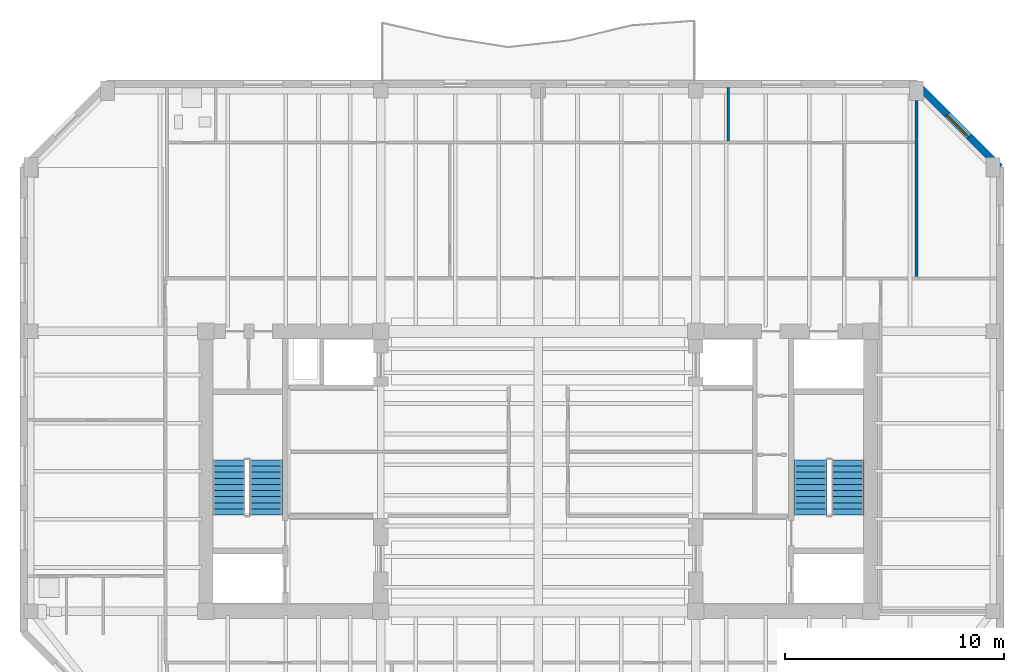
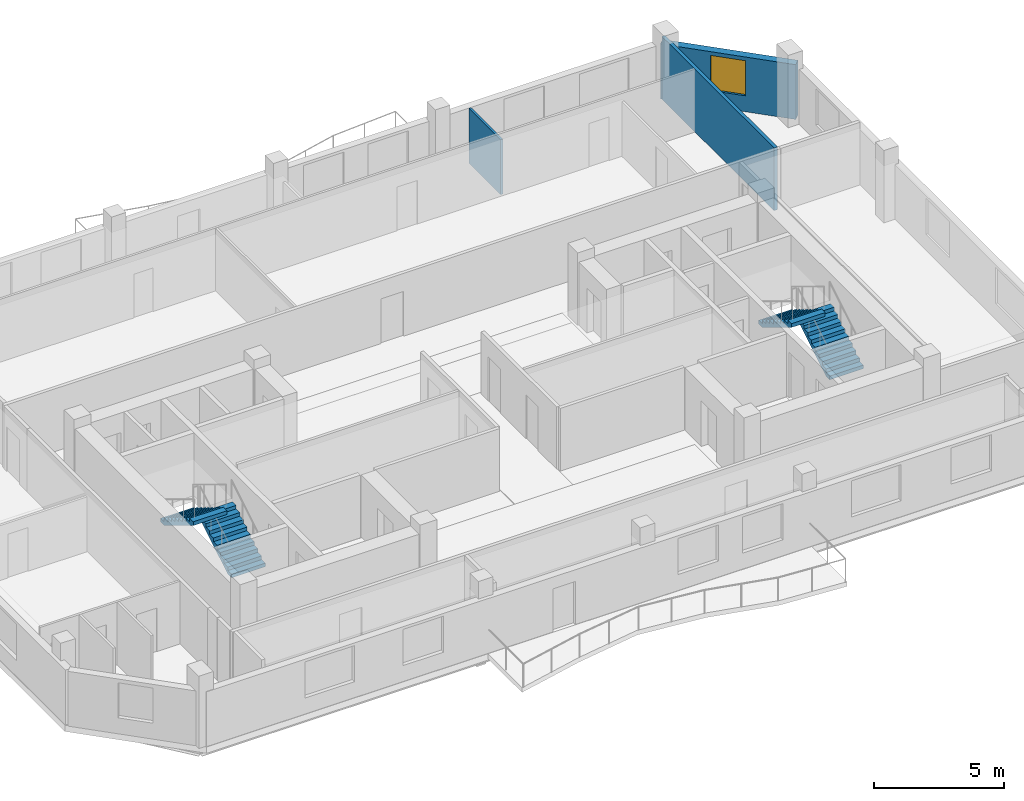
# One storey, part 6 of 10: 4 stair flights, 3 walls, 1 window, 1 opening, 2 elements without a shape of their own.
"""IFC4 building model written with IfcOpenShell, lengths in metres."""

from ifc_helpers import new_model, si_unit, direction, frame, frame_2d, origin, place, context, subcontext, project, spatial, polyline, rectangle, outline, extrude, material, layer, layer_set, type_object, element, fill, aggregate, save


model = new_model("IFC4")

# Units and contexts
model_context = context("Model", 3, precision=1e-05, world=origin(), true_north=direction((0.0, 1.0)))
body_context = subcontext(model_context, "Body", "Model", "MODEL_VIEW")
ifc_project = project(units=[si_unit("LENGTHUNIT", "METRE"), si_unit("AREAUNIT", "SQUARE_METRE"), si_unit("VOLUMEUNIT", "CUBIC_METRE"), si_unit("PLANEANGLEUNIT", "RADIAN"), si_unit("MASSUNIT", "GRAM", prefix="KILO")], contexts=[model_context])

# Site, building, storey
site_placement = place(None, origin())
site = spatial("IfcSite", under=ifc_project, at=site_placement, CompositionType="ELEMENT")
building_placement = place(site_placement, origin())
building = spatial("IfcBuilding", under=site, at=building_placement, Name="Kranthara Brick Stack", CompositionType="ELEMENT")
storey_placement = place(building_placement, frame((0.0, 0.0, 278.89990234375)))
storey = spatial("IfcBuildingStorey", under=building, at=storey_placement, Name="L74", CompositionType="ELEMENT", Elevation=278.89990234375)

# Wall, opening, window
ifc_material_1 = material(Name="Warm buff clay brick masonry M15", Category="masonry")
ifc_layer_1 = layer(ifc_material_1, 0.320068359375)
ifc_layer_set_1 = layer_set([ifc_layer_1], Name="Warm buff clay brick masonry M15")
wall_type_1 = type_object("IfcWallType", Name="WL-BRK-UPPR-320", PredefinedType="STANDARD", material=ifc_layer_set_1)
wall_1_placement = place(storey_placement, frame((45.300048828125, 44.919921875, 0.0), z_axis=(0.0, 0.0, 1.0), x_axis=(0.70712937715, -0.707084184501, 0.0)))
wall_1 = element("IfcWall", 1, at=wall_1_placement, inside=storey, type_object=wall_type_1, Name="L74 Exterior Brick Facade Wall NE 1", PredefinedType="STANDARD", context=body_context, shape_type="SweptSolid", body=[
    extrude(rectangle(XDim=5.402099609375, YDim=0.320068359375, at=frame_2d((2.701171875, 0.0))), origin(), (0.0, 0.0, 1.0), 2.5751953125),
])
opening_placement = place(wall_1_placement, frame((2.0009765625, 0.0, 0.75)))
opening = element("IfcOpeningElement", 2, at=opening_placement, cuts=wall_1, Name="Opening WN10", PredefinedType="OPENING", context=body_context, shape_type="SweptSolid", body=[
    extrude(rectangle(XDim=1.39990234375, YDim=1.64990234375, at=frame_2d((0.699951171875, 0.824951171875))), frame((0.0, 0.169921875, 0.0), z_axis=(0.0, -1.0, 0.0), x_axis=(1.0, 0.0, 0.0)), (0.0, 0.0, 1.0), 0.340087890625),
])
ifc_material_2 = material(Name="Double-glazed low-E solar control glass", Category="glass")
window_type = type_object("IfcWindowType", Name="WN-CHM-1400x1750", PartitioningType="SINGLE_PANEL", PredefinedType="WINDOW", material=ifc_material_2)
window_placement = place(opening_placement, origin())
window = element("IfcWindow", 3, at=window_placement, inside=storey, type_object=window_type, Name="L74 NE Chamfer Corner Window", OverallHeight=1.64990234375, OverallWidth=1.39990234375, PartitioningType="SINGLE_PANEL", PredefinedType="WINDOW", context=body_context, shape_type="SweptSolid", body=[
    extrude(rectangle(XDim=1.39990234375, YDim=1.64990234375, at=frame_2d((0.699951171875, 0.824951171875))), frame((0.0, -0.010009765625, 0.0), z_axis=(0.0, -1.0, 0.0), x_axis=(1.0, 0.0, 0.0)), (0.0, 0.0, 1.0), 0.06005859375),
])
fill(opening, window)

# Walls
ifc_material_3 = material(Name="Moisture-resistant wet-room partition", Category="other")
ifc_layer_2 = layer(ifc_material_3, 0.10009765625)
ifc_layer_set_2 = layer_set([ifc_layer_2], Name="Moisture-resistant wet-room partition")
wall_type_2 = type_object("IfcWallType", Name="WL-PART-100", PredefinedType="PARTITIONING", material=ifc_layer_set_2)
wall_2_placement = place(storey_placement, frame((36.68994140625, 42.304931640625, 0.0), z_axis=(0.0, 0.0, 1.0), x_axis=(0.0, 1.0, 0.0)))
element("IfcWall", 4, at=wall_2_placement, inside=storey, type_object=wall_type_2, Name="L74 Interior Partition 021", PredefinedType="PARTITIONING", context=body_context, shape_type="SweptSolid", body=[
    extrude(rectangle(XDim=2.449951171875, YDim=0.10009765625, at=frame_2d((1.22509765625, 0.0))), origin(), (0.0, 0.0, 1.0), 2.5751953125),
])
ifc_material_4 = material(Name="Fire-rated gypsum board partition", Category="other")
ifc_layer_3 = layer(ifc_material_4, 0.14990234375)
ifc_layer_set_3 = layer_set([ifc_layer_3], Name="Fire-rated gypsum board partition")
wall_type_3 = type_object("IfcWallType", Name="WL-PART-150", PredefinedType="PARTITIONING", material=ifc_layer_set_3)
wall_3_placement = place(storey_placement, frame((45.300048828125, 36.10009765625, 0.0), z_axis=(0.0, 0.0, 1.0), x_axis=(0.0, 1.0, 0.0)))
element("IfcWall", 5, at=wall_3_placement, inside=storey, type_object=wall_type_3, Name="L74 Interior Partition 022", PredefinedType="PARTITIONING", context=body_context, shape_type="SweptSolid", body=[
    extrude(rectangle(XDim=8.65478515625, YDim=0.14990234375, at=frame_2d((4.327392578125, 0.0))), origin(), (0.0, 0.0, 1.0), 2.9501953125),
])

# Stair, stair flights
ifc_material_5 = material(Name="Concrete C45/55", Category="concrete")
stair_type = type_object("IfcStairType", Name="ST-CORE-20R", PredefinedType="HALF_TURN_STAIR", material=ifc_material_5)
stair_1_placement = place(storey_placement, origin())
stair_1 = element("IfcStair", 6, at=stair_1_placement, inside=storey, type_object=stair_type, Name="L74 West Core Protected Exit Stair ST01", PredefinedType="HALF_TURN_STAIR")
ifc_material_6 = material(Name="Concrete C45/55", Category="concrete")
stair_flight_type = type_object("IfcStairFlightType", Name="SFL-RC-20R", PredefinedType="STRAIGHT", material=ifc_material_6)
stair_flight_1_placement = place(storey_placement, frame((15.550048828125, 25.199951171875, 0.0), z_axis=(0.0, 0.0, 1.0), x_axis=(0.0, 1.0, 0.0)))
stair_flight_1 = element("IfcStairFlight", 7, at=stair_flight_1_placement, type_object=stair_flight_type, Name="ST01 flight 1", NumberOfRisers=10, NumberOfTreads=9, PredefinedType="STRAIGHT", RiserHeight=0.17, TreadLength=0.28, context=body_context, shape_type="SweptSolid", body=[
    extrude(outline(polyline([(0.0, 0.0), (0.0, 0.169921875), (0.280029296875, 0.169921875), (0.280029296875, 0.340087890625), (0.56005859375, 0.340087890625), (0.56005859375, 0.510009765625), (0.840087890625, 0.510009765625), (0.840087890625, 0.679931640625), (1.1201171875, 0.679931640625), (1.1201171875, 0.85009765625), (1.39990234375, 0.85009765625), (1.39990234375, 1.02001953125), (1.679931640625, 1.02001953125), (1.679931640625, 1.18994140625), (1.9599609375, 1.18994140625), (1.9599609375, 1.360107421875), (2.239990234375, 1.360107421875), (2.239990234375, 1.530029296875), (2.52001953125, 1.530029296875), (2.52001953125, 1.699951171875), (2.52001953125, 1.354736328125), (0.288818359375, 0.0), (0.0, 0.0)])), frame((0.0, 0.75, 0.0), z_axis=(0.0, -1.0, 0.0), x_axis=(1.0, 0.0, 0.0)), (0.0, 0.0, 1.0), 1.5),
])
stair_flight_2_placement = place(storey_placement, frame((13.85009765625, 27.719970703125, 1.7001953125), z_axis=(0.0, 0.0, 1.0), x_axis=(0.0, -1.0, 0.0)))
stair_flight_2 = element("IfcStairFlight", 8, at=stair_flight_2_placement, type_object=stair_flight_type, Name="ST01 flight 2", NumberOfRisers=10, NumberOfTreads=9, PredefinedType="STRAIGHT", RiserHeight=0.17, TreadLength=0.28, context=body_context, shape_type="SweptSolid", body=[
    extrude(outline(polyline([(0.0, 0.0), (0.0, 0.169921875), (0.280029296875, 0.169921875), (0.280029296875, 0.340087890625), (0.56005859375, 0.340087890625), (0.56005859375, 0.510009765625), (0.840087890625, 0.510009765625), (0.840087890625, 0.679931640625), (1.1201171875, 0.679931640625), (1.1201171875, 0.85009765625), (1.39990234375, 0.85009765625), (1.39990234375, 1.02001953125), (1.679931640625, 1.02001953125), (1.679931640625, 1.18994140625), (1.9599609375, 1.18994140625), (1.9599609375, 1.360107421875), (2.239990234375, 1.360107421875), (2.239990234375, 1.530029296875), (2.52001953125, 1.530029296875), (2.52001953125, 1.699951171875), (2.52001953125, 1.354736328125), (0.288818359375, 0.0), (0.0, 0.0)])), frame((0.0, 0.75, 0.0), z_axis=(0.0, -1.0, 0.0), x_axis=(1.0, 0.0, 0.0)), (0.0, 0.0, 1.0), 1.5),
])
aggregate(stair_1, [stair_flight_1, stair_flight_2])

stair_2_placement = place(storey_placement, origin())
stair_2 = element("IfcStair", 9, at=stair_2_placement, inside=storey, type_object=stair_type, Name="L74 East Core Protected Exit Stair ST02", PredefinedType="HALF_TURN_STAIR")
stair_flight_3_placement = place(storey_placement, frame((42.14990234375, 25.199951171875, 0.0), z_axis=(0.0, 0.0, 1.0), x_axis=(0.0, 1.0, 0.0)))
stair_flight_3 = element("IfcStairFlight", 10, at=stair_flight_3_placement, type_object=stair_flight_type, Name="ST02 flight 1", NumberOfRisers=10, NumberOfTreads=9, PredefinedType="STRAIGHT", RiserHeight=0.17, TreadLength=0.28, context=body_context, shape_type="SweptSolid", body=[
    extrude(outline(polyline([(0.0, 0.0), (0.0, 0.169921875), (0.280029296875, 0.169921875), (0.280029296875, 0.340087890625), (0.56005859375, 0.340087890625), (0.56005859375, 0.510009765625), (0.840087890625, 0.510009765625), (0.840087890625, 0.679931640625), (1.1201171875, 0.679931640625), (1.1201171875, 0.85009765625), (1.39990234375, 0.85009765625), (1.39990234375, 1.02001953125), (1.679931640625, 1.02001953125), (1.679931640625, 1.18994140625), (1.9599609375, 1.18994140625), (1.9599609375, 1.360107421875), (2.239990234375, 1.360107421875), (2.239990234375, 1.530029296875), (2.52001953125, 1.530029296875), (2.52001953125, 1.699951171875), (2.52001953125, 1.354736328125), (0.288818359375, 0.0), (0.0, 0.0)])), frame((0.0, 0.75, 0.0), z_axis=(0.0, -1.0, 0.0), x_axis=(1.0, 0.0, 0.0)), (0.0, 0.0, 1.0), 1.5),
])
stair_flight_4_placement = place(storey_placement, frame((40.449951171875, 27.719970703125, 1.7001953125), z_axis=(0.0, 0.0, 1.0), x_axis=(0.0, -1.0, 0.0)))
stair_flight_4 = element("IfcStairFlight", 11, at=stair_flight_4_placement, type_object=stair_flight_type, Name="ST02 flight 2", NumberOfRisers=10, NumberOfTreads=9, PredefinedType="STRAIGHT", RiserHeight=0.17, TreadLength=0.28, context=body_context, shape_type="SweptSolid", body=[
    extrude(outline(polyline([(0.0, 0.0), (0.0, 0.169921875), (0.280029296875, 0.169921875), (0.280029296875, 0.340087890625), (0.56005859375, 0.340087890625), (0.56005859375, 0.510009765625), (0.840087890625, 0.510009765625), (0.840087890625, 0.679931640625), (1.1201171875, 0.679931640625), (1.1201171875, 0.85009765625), (1.39990234375, 0.85009765625), (1.39990234375, 1.02001953125), (1.679931640625, 1.02001953125), (1.679931640625, 1.18994140625), (1.9599609375, 1.18994140625), (1.9599609375, 1.360107421875), (2.239990234375, 1.360107421875), (2.239990234375, 1.530029296875), (2.52001953125, 1.530029296875), (2.52001953125, 1.699951171875), (2.52001953125, 1.354736328125), (0.288818359375, 0.0), (0.0, 0.0)])), frame((0.0, 0.75, 0.0), z_axis=(0.0, -1.0, 0.0), x_axis=(1.0, 0.0, 0.0)), (0.0, 0.0, 1.0), 1.5),
])
aggregate(stair_2, [stair_flight_3, stair_flight_4])

save(model, "model.ifc")
